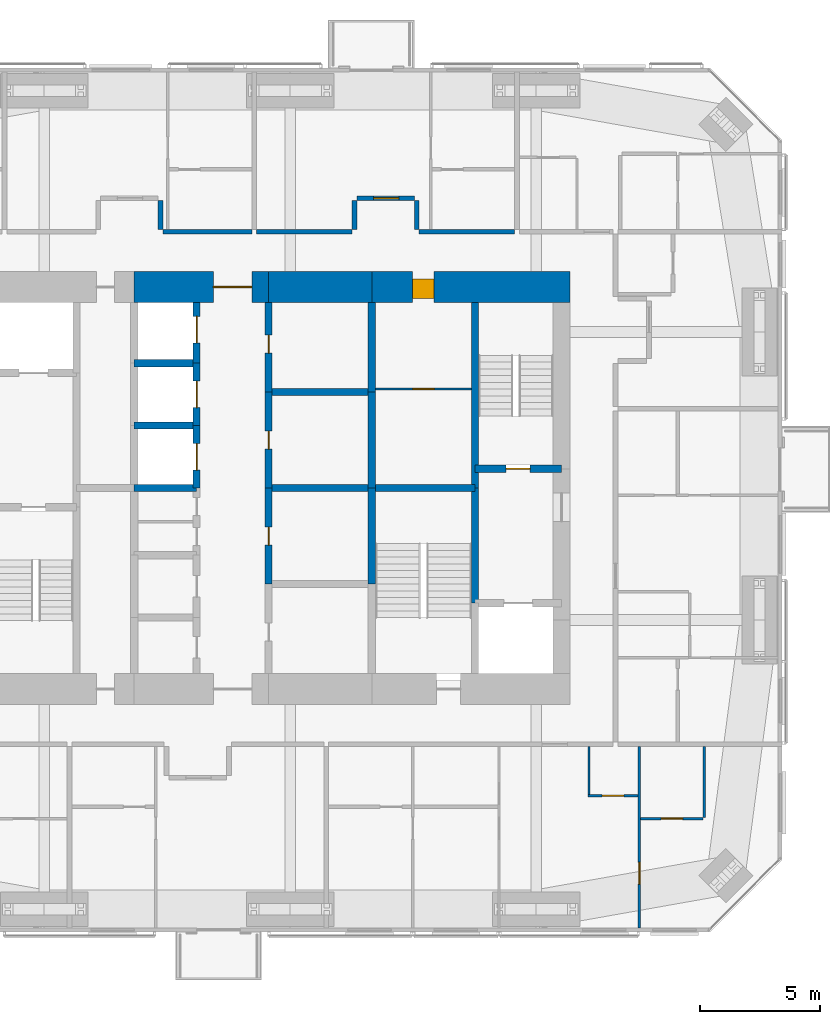
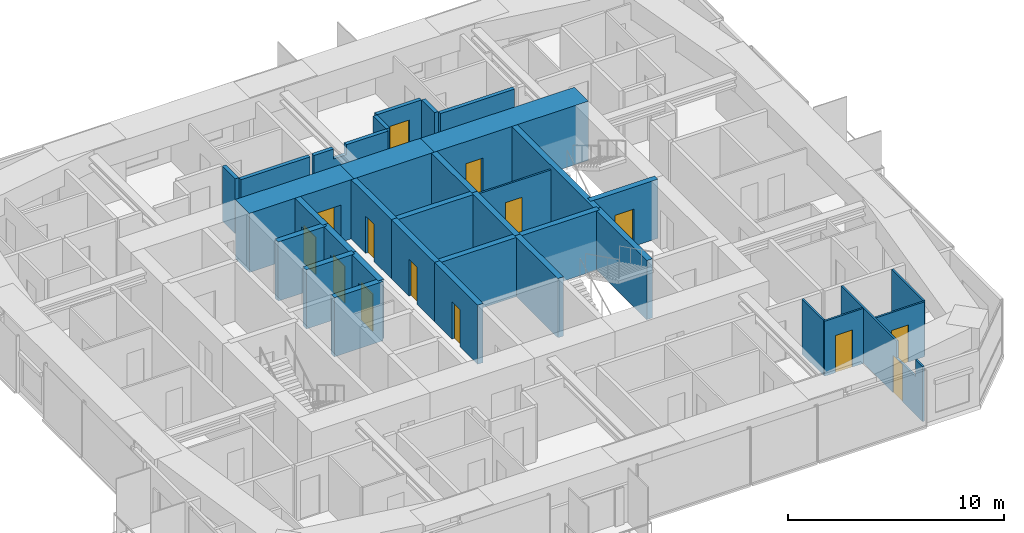
# One storey, part 19 of 23: 34 walls, 14 doors, 14 openings.
"""IFC4 building model written with IfcOpenShell, lengths in metres."""

from ifc_helpers import new_model, si_unit, direction, frame, frame_2d, origin, place, context, subcontext, project, spatial, polyline, rectangle, outline, extrude, material, layer, layer_set, constituent, constituent_set, type_object, element, fill, save


model = new_model("IFC4")

# Units and contexts
model_context = context("Model", 3, precision=1e-05, world=origin(), true_north=direction((0.0, 1.0)))
body_context = subcontext(model_context, "Body", "Model", "MODEL_VIEW")
ifc_project = project(units=[si_unit("LENGTHUNIT", "METRE"), si_unit("AREAUNIT", "SQUARE_METRE"), si_unit("VOLUMEUNIT", "CUBIC_METRE"), si_unit("PLANEANGLEUNIT", "RADIAN"), si_unit("MASSUNIT", "GRAM", prefix="KILO")], contexts=[model_context])

# Site, building, storey
site_placement = place(None, origin())
site = spatial("IfcSite", under=ifc_project, at=site_placement, CompositionType="ELEMENT")
building_placement = place(site_placement, origin())
building = spatial("IfcBuilding", under=site, at=building_placement, Name="Jalousie Tower", CompositionType="ELEMENT")
storey_placement = place(building_placement, frame((0.0, 0.0, 184.5)))
storey = spatial("IfcBuildingStorey", under=building, at=storey_placement, Name="L50", CompositionType="ELEMENT", Elevation=184.5)

# Wall, opening, door
ifc_material_1 = material(Name="Concrete f'c 120 MPa", Category="concrete")
ifc_layer_1 = layer(ifc_material_1, 1.300048828125)
ifc_layer_set_1 = layer_set([ifc_layer_1], Name="Concrete f'c 120 MPa")
wall_type_1 = type_object("IfcWallType", Name="CORE WALL 1300", PredefinedType="SHEAR", material=ifc_layer_set_1)
wall_1_placement = place(storey_placement, frame((44.14990234375, 26.875, 0.0), z_axis=(0.0, 0.0, 1.0), x_axis=(-1.0, 0.0, 0.0)))
wall_1 = element("IfcWall", 1, at=wall_1_placement, inside=storey, type_object=wall_type_1, Name="Core wall NA L50", PredefinedType="SHEAR", context=body_context, shape_type="SweptSolid", body=[
    extrude(rectangle(XDim=8.25, YDim=1.300048828125, at=frame_2d((4.125, 0.0))), origin(), (0.0, 0.0, 1.0), 3.35009765625),
])
opening_1_placement = place(wall_1_placement, frame((5.64990234375, 0.0, 0.0)))
opening_1 = element("IfcOpeningElement", 2, at=opening_1_placement, cuts=wall_1, Name="Opening D26", PredefinedType="OPENING", context=body_context, shape_type="SweptSolid", body=[
    extrude(rectangle(XDim=0.89990234375, YDim=2.10009765625, at=frame_2d((0.449951171875, 1.050048828125))), frame((0.0, 0.659912109375, 0.0), z_axis=(0.0, -1.0, 0.0), x_axis=(1.0, 0.0, 0.0)), (0.0, 0.0, 1.0), 1.320068359375),
])
ifc_material_2 = material(Name="Steel fire door", Category="steel")
door_type_1 = type_object("IfcDoorType", Name="HOUSEKEEPING STORE DOOR 900", OperationType="SINGLE_SWING_LEFT", PredefinedType="DOOR", material=ifc_material_2)
door_1_placement = place(opening_1_placement, origin())
door_1 = element("IfcDoor", 3, at=door_1_placement, inside=storey, type_object=door_type_1, Name="Housekeeping store door", OperationType="SINGLE_SWING_RIGHT", OverallHeight=2.10009765625, OverallWidth=0.89990234375, PredefinedType="DOOR", context=body_context, shape_type="SweptSolid", body=[
    extrude(rectangle(XDim=0.89990234375, YDim=2.10009765625, at=frame_2d((0.449951171875, 1.050048828125))), frame((0.0, 0.47021484375, 0.0), z_axis=(0.0, -1.0, 0.0), x_axis=(1.0, 0.0, 0.0)), (0.0, 0.0, 1.0), 0.800048828125),
])
fill(opening_1, door_1)

# Wall
wall_2_placement = place(storey_placement, frame((35.89990234375, 26.875, 0.0), z_axis=(0.0, 0.0, 1.0), x_axis=(-1.0, 0.0, 0.0)))
element("IfcWall", 4, at=wall_2_placement, inside=storey, type_object=wall_type_1, Name="Core wall NB L50", PredefinedType="SHEAR", context=body_context, shape_type="SweptSolid", body=[
    extrude(rectangle(XDim=4.2998046875, YDim=1.300048828125, at=frame_2d((2.14990234375, 0.0))), origin(), (0.0, 0.0, 1.0), 3.35009765625),
])

# Wall, opening, door
wall_3_placement = place(storey_placement, frame((31.60009765625, 26.875, 0.0), z_axis=(0.0, 0.0, 1.0), x_axis=(-1.0, 0.0, 0.0)))
wall_3 = element("IfcWall", 5, at=wall_3_placement, inside=storey, type_object=wall_type_1, Name="Core wall NC L50", PredefinedType="SHEAR", context=body_context, shape_type="SweptSolid", body=[
    extrude(rectangle(XDim=5.60009765625, YDim=1.300048828125, at=frame_2d((2.800048828125, 0.0))), origin(), (0.0, 0.0, 1.0), 3.35009765625),
])
opening_2_placement = place(wall_3_placement, frame((0.699951171875, 0.0, 0.0)))
opening_2 = element("IfcOpeningElement", 6, at=opening_2_placement, cuts=wall_3, Name="Opening D15", PredefinedType="OPENING", context=body_context, shape_type="SweptSolid", body=[
    extrude(rectangle(XDim=1.60009765625, YDim=2.10009765625, at=frame_2d((0.800048828125, 1.050048828125))), frame((0.0, 0.659912109375, 0.0), z_axis=(0.0, -1.0, 0.0), x_axis=(1.0, 0.0, 0.0)), (0.0, 0.0, 1.0), 1.320068359375),
])
ifc_material_3 = material(Name="Steel fire door", Category="steel")
door_type_2 = type_object("IfcDoorType", Name="LIFT LOBBY DOOR 1600", OperationType="DOUBLE_DOOR_SINGLE_SWING", PredefinedType="DOOR", material=ifc_material_3)
door_2_placement = place(opening_2_placement, origin())
door_2 = element("IfcDoor", 7, at=door_2_placement, inside=storey, type_object=door_type_2, Name="Lift lobby north door", OperationType="DOUBLE_DOOR_SINGLE_SWING", OverallHeight=2.10009765625, OverallWidth=1.60009765625, PredefinedType="DOOR", context=body_context, shape_type="SweptSolid", body=[
    extrude(rectangle(XDim=1.60009765625, YDim=2.10009765625, at=frame_2d((0.800048828125, 1.050048828125))), frame((0.0, 0.02490234375, 0.0), z_axis=(0.0, -1.0, 0.0), x_axis=(1.0, 0.0, 0.0)), (0.0, 0.0, 1.0), 0.050048828125),
])
fill(opening_2, door_2)

ifc_material_4 = material(Name="Concrete f'c 120 MPa", Category="concrete")
ifc_layer_2 = layer(ifc_material_4, 0.300048828125)
ifc_layer_set_2 = layer_set([ifc_layer_2], Name="Concrete f'c 120 MPa")
wall_type_2 = type_object("IfcWallType", Name="CORE WALL 300", PredefinedType="SHEAR", material=ifc_layer_set_2)
wall_4_placement = place(storey_placement, frame((28.60009765625, 18.5, 0.0), z_axis=(0.0, 0.0, 1.0), x_axis=(0.0, 1.0, 0.0)))
wall_4 = element("IfcWall", 8, at=wall_4_placement, inside=storey, type_object=wall_type_2, Name="Core wall X28.6D L50", PredefinedType="SHEAR", context=body_context, shape_type="SweptSolid", body=[
    extrude(rectangle(XDim=2.60009765625, YDim=0.300048828125, at=frame_2d((1.300048828125, 0.0))), origin(), (0.0, 0.0, 1.0), 3.35009765625),
])
opening_3_placement = place(wall_4_placement, frame((0.75, 0.0, 0.0)))
opening_3 = element("IfcOpeningElement", 9, at=opening_3_placement, cuts=wall_4, Name="Opening LD1", PredefinedType="OPENING", context=body_context, shape_type="SweptSolid", body=[
    extrude(rectangle(XDim=1.10009765625, YDim=2.10009765625, at=frame_2d((0.550048828125, 1.050048828125))), frame((0.0, 0.159912109375, 0.0), z_axis=(0.0, -1.0, 0.0), x_axis=(1.0, 0.0, 0.0)), (0.0, 0.0, 1.0), 0.320068359375),
])
ifc_material_5 = material(Name="Steel lift landing door", Category="steel")
door_type_3 = type_object("IfcDoorType", Name="LIFT LANDING DOOR 1100", OperationType="SLIDING_TO_LEFT", PredefinedType="DOOR", material=ifc_material_5)
door_3_placement = place(opening_3_placement, origin())
door_3 = element("IfcDoor", 10, at=door_3_placement, inside=storey, type_object=door_type_3, Name="Lift P4 landing door", OperationType="SLIDING_TO_LEFT", OverallHeight=2.10009765625, OverallWidth=1.10009765625, PredefinedType="DOOR", context=body_context, shape_type="SweptSolid", body=[
    extrude(rectangle(XDim=1.10009765625, YDim=2.10009765625, at=frame_2d((0.550048828125, 1.050048828125))), frame((0.0, 0.02490234375, 0.0), z_axis=(0.0, -1.0, 0.0), x_axis=(1.0, 0.0, 0.0)), (0.0, 0.0, 1.0), 0.050048828125),
])
fill(opening_3, door_3)

wall_5_placement = place(storey_placement, frame((28.60009765625, 21.10009765625, 0.0), z_axis=(0.0, 0.0, 1.0), x_axis=(0.0, 1.0, 0.0)))
wall_5 = element("IfcWall", 11, at=wall_5_placement, inside=storey, type_object=wall_type_2, Name="Core wall X28.6E L50", PredefinedType="SHEAR", context=body_context, shape_type="SweptSolid", body=[
    extrude(rectangle(XDim=2.599853515625, YDim=0.300048828125, at=frame_2d((1.2998046875, 0.0))), origin(), (0.0, 0.0, 1.0), 3.35009765625),
])
opening_4_placement = place(wall_5_placement, frame((0.75, 0.0, 0.0)))
opening_4 = element("IfcOpeningElement", 12, at=opening_4_placement, cuts=wall_5, Name="Opening LD1", PredefinedType="OPENING", context=body_context, shape_type="SweptSolid", body=[
    extrude(rectangle(XDim=1.10009765625, YDim=2.10009765625, at=frame_2d((0.550048828125, 1.050048828125))), frame((0.0, 0.159912109375, 0.0), z_axis=(0.0, -1.0, 0.0), x_axis=(1.0, 0.0, 0.0)), (0.0, 0.0, 1.0), 0.320068359375),
])
door_4_placement = place(opening_4_placement, origin())
door_4 = element("IfcDoor", 13, at=door_4_placement, inside=storey, type_object=door_type_3, Name="Lift P5 landing door", OperationType="SLIDING_TO_LEFT", OverallHeight=2.10009765625, OverallWidth=1.10009765625, PredefinedType="DOOR", context=body_context, shape_type="SweptSolid", body=[
    extrude(rectangle(XDim=1.10009765625, YDim=2.10009765625, at=frame_2d((0.550048828125, 1.050048828125))), frame((0.0, 0.02490234375, 0.0), z_axis=(0.0, -1.0, 0.0), x_axis=(1.0, 0.0, 0.0)), (0.0, 0.0, 1.0), 0.050048828125),
])
fill(opening_4, door_4)

wall_6_placement = place(storey_placement, frame((28.60009765625, 23.699951171875, 0.0), z_axis=(0.0, 0.0, 1.0), x_axis=(0.0, 1.0, 0.0)))
wall_6 = element("IfcWall", 14, at=wall_6_placement, inside=storey, type_object=wall_type_2, Name="Core wall X28.6F L50", PredefinedType="SHEAR", context=body_context, shape_type="SweptSolid", body=[
    extrude(rectangle(XDim=2.525146484375, YDim=0.300048828125, at=frame_2d((1.2626953125, 0.0))), origin(), (0.0, 0.0, 1.0), 3.35009765625),
])
opening_5_placement = place(wall_6_placement, frame((0.85009765625, 0.0, 0.0)))
opening_5 = element("IfcOpeningElement", 15, at=opening_5_placement, cuts=wall_6, Name="Opening LD1", PredefinedType="OPENING", context=body_context, shape_type="SweptSolid", body=[
    extrude(rectangle(XDim=1.10009765625, YDim=2.10009765625, at=frame_2d((0.550048828125, 1.050048828125))), frame((0.0, 0.159912109375, 0.0), z_axis=(0.0, -1.0, 0.0), x_axis=(1.0, 0.0, 0.0)), (0.0, 0.0, 1.0), 0.320068359375),
])
door_5_placement = place(opening_5_placement, origin())
door_5 = element("IfcDoor", 16, at=door_5_placement, inside=storey, type_object=door_type_3, Name="Lift P6 landing door", OperationType="SLIDING_TO_LEFT", OverallHeight=2.10009765625, OverallWidth=1.10009765625, PredefinedType="DOOR", context=body_context, shape_type="SweptSolid", body=[
    extrude(rectangle(XDim=1.10009765625, YDim=2.10009765625, at=frame_2d((0.550048828125, 1.050048828125))), frame((0.0, 0.02490234375, 0.0), z_axis=(0.0, -1.0, 0.0), x_axis=(1.0, 0.0, 0.0)), (0.0, 0.0, 1.0), 0.050048828125),
])
fill(opening_5, door_5)

wall_7_placement = place(storey_placement, frame((31.60009765625, 14.5, 0.0), z_axis=(0.0, 0.0, 1.0), x_axis=(0.0, 1.0, 0.0)))
wall_7 = element("IfcWall", 17, at=wall_7_placement, inside=storey, type_object=wall_type_2, Name="Core wall X31.6B L50", PredefinedType="SHEAR", context=body_context, shape_type="SweptSolid", body=[
    extrude(rectangle(XDim=4.0, YDim=0.300048828125, at=frame_2d((2.0, 0.0))), origin(), (0.0, 0.0, 1.0), 3.35009765625),
])
opening_6_placement = place(wall_7_placement, frame((1.625, 0.0, 0.0)))
opening_6 = element("IfcOpeningElement", 18, at=opening_6_placement, cuts=wall_7, Name="Opening D16", PredefinedType="OPENING", context=body_context, shape_type="SweptSolid", body=[
    extrude(rectangle(XDim=0.75, YDim=2.10009765625, at=frame_2d((0.375, 1.050048828125))), frame((0.0, 0.159912109375, 0.0), z_axis=(0.0, -1.0, 0.0), x_axis=(1.0, 0.0, 0.0)), (0.0, 0.0, 1.0), 0.320068359375),
])
ifc_material_6 = material(Name="Steel fire door", Category="steel")
door_type_4 = type_object("IfcDoorType", Name="RISER DOOR 750", OperationType="SINGLE_SWING_LEFT", PredefinedType="DOOR", material=ifc_material_6)
door_6_placement = place(opening_6_placement, frame((0.75, 0.0, 0.0), z_axis=(0.0, 0.0, 1.0), x_axis=(-1.0, 0.0, 0.0)))
door_6 = element("IfcDoor", 19, at=door_6_placement, inside=storey, type_object=door_type_4, Name="Electrical Room door", OperationType="SINGLE_SWING_RIGHT", OverallHeight=2.10009765625, OverallWidth=0.75, PredefinedType="DOOR", context=body_context, shape_type="SweptSolid", body=[
    extrude(rectangle(XDim=0.75, YDim=2.10009765625, at=frame_2d((0.375, 1.050048828125))), frame((0.0, 0.02490234375, 0.0), z_axis=(0.0, -1.0, 0.0), x_axis=(1.0, 0.0, 0.0)), (0.0, 0.0, 1.0), 0.050048828125),
])
fill(opening_6, door_6)

wall_8_placement = place(storey_placement, frame((31.60009765625, 18.5, 0.0), z_axis=(0.0, 0.0, 1.0), x_axis=(0.0, 1.0, 0.0)))
wall_8 = element("IfcWall", 20, at=wall_8_placement, inside=storey, type_object=wall_type_2, Name="Core wall X31.6C L50", PredefinedType="SHEAR", context=body_context, shape_type="SweptSolid", body=[
    extrude(rectangle(XDim=4.0, YDim=0.300048828125, at=frame_2d((2.0, 0.0))), origin(), (0.0, 0.0, 1.0), 3.35009765625),
])
opening_7_placement = place(wall_8_placement, frame((1.625, 0.0, 0.0)))
opening_7 = element("IfcOpeningElement", 21, at=opening_7_placement, cuts=wall_8, Name="Opening D16", PredefinedType="OPENING", context=body_context, shape_type="SweptSolid", body=[
    extrude(rectangle(XDim=0.75, YDim=2.10009765625, at=frame_2d((0.375, 1.050048828125))), frame((0.0, 0.159912109375, 0.0), z_axis=(0.0, -1.0, 0.0), x_axis=(1.0, 0.0, 0.0)), (0.0, 0.0, 1.0), 0.320068359375),
])
door_7_placement = place(opening_7_placement, frame((0.75, 0.0, 0.0), z_axis=(0.0, 0.0, 1.0), x_axis=(-1.0, 0.0, 0.0)))
door_7 = element("IfcDoor", 22, at=door_7_placement, inside=storey, type_object=door_type_4, Name="Telecom Room door", OperationType="SINGLE_SWING_RIGHT", OverallHeight=2.10009765625, OverallWidth=0.75, PredefinedType="DOOR", context=body_context, shape_type="SweptSolid", body=[
    extrude(rectangle(XDim=0.75, YDim=2.10009765625, at=frame_2d((0.375, 1.050048828125))), frame((0.0, 0.02490234375, 0.0), z_axis=(0.0, -1.0, 0.0), x_axis=(1.0, 0.0, 0.0)), (0.0, 0.0, 1.0), 0.050048828125),
])
fill(opening_7, door_7)

wall_9_placement = place(storey_placement, frame((31.60009765625, 22.5, 0.0), z_axis=(0.0, 0.0, 1.0), x_axis=(0.0, 1.0, 0.0)))
wall_9 = element("IfcWall", 23, at=wall_9_placement, inside=storey, type_object=wall_type_2, Name="Core wall X31.6D L50", PredefinedType="SHEAR", context=body_context, shape_type="SweptSolid", body=[
    extrude(rectangle(XDim=3.72509765625, YDim=0.300048828125, at=frame_2d((1.862548828125, 0.0))), origin(), (0.0, 0.0, 1.0), 3.35009765625),
])
opening_8_placement = place(wall_9_placement, frame((1.625, 0.0, 0.0)))
opening_8 = element("IfcOpeningElement", 24, at=opening_8_placement, cuts=wall_9, Name="Opening D16", PredefinedType="OPENING", context=body_context, shape_type="SweptSolid", body=[
    extrude(rectangle(XDim=0.75, YDim=2.10009765625, at=frame_2d((0.375, 1.050048828125))), frame((0.0, 0.159912109375, 0.0), z_axis=(0.0, -1.0, 0.0), x_axis=(1.0, 0.0, 0.0)), (0.0, 0.0, 1.0), 0.320068359375),
])
door_8_placement = place(opening_8_placement, frame((0.75, 0.0, 0.0), z_axis=(0.0, 0.0, 1.0), x_axis=(-1.0, 0.0, 0.0)))
door_8 = element("IfcDoor", 25, at=door_8_placement, inside=storey, type_object=door_type_4, Name="Water Services Room door", OperationType="SINGLE_SWING_LEFT", OverallHeight=2.10009765625, OverallWidth=0.75, PredefinedType="DOOR", context=body_context, shape_type="SweptSolid", body=[
    extrude(rectangle(XDim=0.75, YDim=2.10009765625, at=frame_2d((0.375, 1.050048828125))), frame((0.0, 0.02490234375, 0.0), z_axis=(0.0, -1.0, 0.0), x_axis=(1.0, 0.0, 0.0)), (0.0, 0.0, 1.0), 0.050048828125),
])
fill(opening_8, door_8)

# Walls
for number, where, z_axis, x_axis, name in (
    (26, (35.89990234375, 14.5, 0.0), (0.0, 0.0, 1.0), (0.0, 1.0, 0.0), "Core wall X35.9B L50"),
    (27, (35.89990234375, 18.5, 0.0), (0.0, 0.0, 1.0), (0.0, 1.0, 0.0), "Core wall X35.9C L50"),
):
    element("IfcWall", number, at=place(storey_placement, frame(where, z_axis=z_axis, x_axis=x_axis)), inside=storey, type_object=wall_type_2, Name=name, PredefinedType="SHEAR", context=body_context, shape_type="SweptSolid", body=[
        extrude(rectangle(XDim=4.0, YDim=0.300048828125, at=frame_2d((2.0, 0.0))), origin(), (0.0, 0.0, 1.0), 3.35009765625),
    ])
wall_10_placement = place(storey_placement, frame((35.89990234375, 22.5, 0.0), z_axis=(0.0, 0.0, 1.0), x_axis=(0.0, 1.0, 0.0)))
element("IfcWall", 28, at=wall_10_placement, inside=storey, type_object=wall_type_2, Name="Core wall X35.9D L50", PredefinedType="SHEAR", context=body_context, shape_type="SweptSolid", body=[
    extrude(rectangle(XDim=3.72509765625, YDim=0.300048828125, at=frame_2d((1.862548828125, 0.0))), origin(), (0.0, 0.0, 1.0), 3.35009765625),
])
wall_11_placement = place(storey_placement, frame((40.199951171875, 13.699951171875, 0.0), z_axis=(0.0, 0.0, 1.0), x_axis=(0.0, 1.0, 0.0)))
element("IfcWall", 29, at=wall_11_placement, inside=storey, type_object=wall_type_2, Name="Core wall X40.2B L50", PredefinedType="SHEAR", context=body_context, shape_type="SweptSolid", body=[
    extrude(rectangle(XDim=4.800048828125, YDim=0.300048828125, at=frame_2d((2.39990234375, 0.0))), origin(), (0.0, 0.0, 1.0), 3.35009765625),
])
wall_12_placement = place(storey_placement, frame((40.199951171875, 18.5, 0.0), z_axis=(0.0, 0.0, 1.0), x_axis=(0.0, 1.0, 0.0)))
element("IfcWall", 30, at=wall_12_placement, inside=storey, type_object=wall_type_2, Name="Core wall X40.2C L50", PredefinedType="SHEAR", context=body_context, shape_type="SweptSolid", body=[
    extrude(rectangle(XDim=7.72509765625, YDim=0.300048828125, at=frame_2d((3.862548828125, 0.0))), origin(), (0.0, 0.0, 1.0), 3.35009765625),
])
for number, where, z_axis, x_axis, name in (
    (31, (26.0, 18.5, 0.0), (0.0, 0.0, 1.0), (1.0, 0.0, 0.0), "Core wall Y26-18.5 L50"),
    (32, (26.0, 21.10009765625, 0.0), (0.0, 0.0, 1.0), (1.0, 0.0, 0.0), "Core wall Y26-21.1 L50"),
    (33, (26.0, 23.699951171875, 0.0), (0.0, 0.0, 1.0), (1.0, 0.0, 0.0), "Core wall Y26-23.7 L50"),
):
    element("IfcWall", number, at=place(storey_placement, frame(where, z_axis=z_axis, x_axis=x_axis)), inside=storey, type_object=wall_type_2, Name=name, PredefinedType="SHEAR", context=body_context, shape_type="SweptSolid", body=[
        extrude(rectangle(XDim=2.60009765625, YDim=0.300048828125, at=frame_2d((1.300048828125, 0.0))), origin(), (0.0, 0.0, 1.0), 3.35009765625),
    ])
for number, where, z_axis, x_axis, name in (
    (34, (31.60009765625, 18.5, 0.0), (0.0, 0.0, 1.0), (1.0, 0.0, 0.0), "Core wall Y31.6-18.5 L50"),
    (35, (31.60009765625, 22.5, 0.0), (0.0, 0.0, 1.0), (1.0, 0.0, 0.0), "Core wall Y31.6-22.5 L50"),
):
    element("IfcWall", number, at=place(storey_placement, frame(where, z_axis=z_axis, x_axis=x_axis)), inside=storey, type_object=wall_type_2, Name=name, PredefinedType="SHEAR", context=body_context, shape_type="SweptSolid", body=[
        extrude(rectangle(XDim=4.2998046875, YDim=0.300048828125, at=frame_2d((2.14990234375, 0.0))), origin(), (0.0, 0.0, 1.0), 3.35009765625),
    ])
wall_13_placement = place(storey_placement, frame((35.89990234375, 18.5, 0.0), z_axis=(0.0, 0.0, 1.0), x_axis=(1.0, 0.0, 0.0)))
element("IfcWall", 36, at=wall_13_placement, inside=storey, type_object=wall_type_2, Name="Core wall Y35.9-18.5 L50", PredefinedType="SHEAR", context=body_context, shape_type="SweptSolid", body=[
    extrude(rectangle(XDim=4.300048828125, YDim=0.300048828125, at=frame_2d((2.14990234375, 0.0))), origin(), (0.0, 0.0, 1.0), 3.35009765625),
])

# Wall, opening, door
wall_14_placement = place(storey_placement, frame((40.199951171875, 19.300048828125, 0.0), z_axis=(0.0, 0.0, 1.0), x_axis=(1.0, 0.0, 0.0)))
wall_14 = element("IfcWall", 37, at=wall_14_placement, inside=storey, type_object=wall_type_2, Name="Core wall Y40.2-19.3 L50", PredefinedType="SHEAR", context=body_context, shape_type="SweptSolid", body=[
    extrude(rectangle(XDim=3.60009765625, YDim=0.300048828125, at=frame_2d((1.800048828125, 0.0))), origin(), (0.0, 0.0, 1.0), 3.35009765625),
])
opening_9_placement = place(wall_14_placement, frame((1.300048828125, 0.0, 0.0)))
opening_9 = element("IfcOpeningElement", 38, at=opening_9_placement, cuts=wall_14, Name="Opening D10", PredefinedType="OPENING", context=body_context, shape_type="SweptSolid", body=[
    extrude(rectangle(XDim=1.0, YDim=2.10009765625, at=frame_2d((0.5, 1.050048828125))), frame((0.0, 0.159912109375, 0.0), z_axis=(0.0, -1.0, 0.0), x_axis=(1.0, 0.0, 0.0)), (0.0, 0.0, 1.0), 0.320068359375),
])
ifc_material_7 = material(Name="Steel fire door", Category="steel")
door_type_5 = type_object("IfcDoorType", Name="STAIR DOOR 1000", OperationType="SINGLE_SWING_LEFT", PredefinedType="DOOR", material=ifc_material_7)
door_9_placement = place(opening_9_placement, origin())
door_9 = element("IfcDoor", 39, at=door_9_placement, inside=storey, type_object=door_type_5, Name="Exit stair B door", OperationType="SINGLE_SWING_RIGHT", OverallHeight=2.10009765625, OverallWidth=1.0, PredefinedType="DOOR", context=body_context, shape_type="SweptSolid", body=[
    extrude(rectangle(XDim=1.0, YDim=2.10009765625, at=frame_2d((0.5, 1.050048828125))), frame((0.0, 0.02490234375, 0.0), z_axis=(0.0, -1.0, 0.0), x_axis=(1.0, 0.0, 0.0)), (0.0, 0.0, 1.0), 0.050048828125),
])
fill(opening_9, door_9)

# Walls
ifc_material_8 = material(Name="Concrete block ASTM C90", Category="concrete")
ifc_constituent_1 = constituent(ifc_material_8, Name="Body")
ifc_material_9 = material(Name="Render")
ifc_constituent_2 = constituent(ifc_material_9, Name="Finish")
ifc_constituent_set_1 = constituent_set(constituents=[ifc_constituent_1, ifc_constituent_2])
wall_type_3 = type_object("IfcWallType", Name="CORRIDOR WALL 200", PredefinedType="PARTITIONING", material=ifc_constituent_set_1)
wall_15_placement = place(storey_placement, frame((31.10009765625, 29.175048828125, 0.0), z_axis=(0.0, 0.0, 1.0), x_axis=(1.0, 0.0, 0.0)))
element("IfcWall", 40, at=wall_15_placement, inside=storey, type_object=wall_type_3, Name="Corridor Wall 200 L50", PredefinedType="PARTITIONING", context=body_context, shape_type="SweptSolid", body=[
    extrude(outline(polyline([(0.0, 0.0), (3.974853515625, 0.0), (3.97509765625, 3.110107421875), (1.7373046875, 3.110107421875), (1.7373046875, 2.541015625), (1.0625, 2.541015625), (1.0625, 3.110107421875), (0.0, 3.110107421875), (0.0, 0.0)])), frame((0.0, 0.10009765625, 0.0), z_axis=(0.0, -1.0, 0.0), x_axis=(1.0, 0.0, 0.0)), (0.0, 0.0, 1.0), 0.199951171875),
])
wall_16_placement = place(storey_placement, frame((27.199951171875, 29.175048828125, 0.0), z_axis=(0.0, 0.0, 1.0), x_axis=(1.0, 0.0, 0.0)))
element("IfcWall", 41, at=wall_16_placement, inside=storey, type_object=wall_type_3, Name="Corridor Wall 200 L50", PredefinedType="PARTITIONING", context=body_context, shape_type="SweptSolid", body=[
    extrude(rectangle(XDim=3.699951171875, YDim=0.199951171875, at=frame_2d((1.85009765625, 0.0))), origin(), (0.0, 0.0, 1.0), 3.110107421875),
])
wall_17_placement = place(storey_placement, frame((27.10009765625, 29.27490234375, 0.0), z_axis=(0.0, 0.0, 1.0), x_axis=(0.0, 1.0, 0.0)))
element("IfcWall", 42, at=wall_17_placement, inside=storey, type_object=wall_type_3, Name="Corridor Wall 200 L50", PredefinedType="PARTITIONING", context=body_context, shape_type="SweptSolid", body=[
    extrude(rectangle(XDim=1.2001953125, YDim=0.199951171875, at=frame_2d((0.60009765625, 0.0))), origin(), (0.0, 0.0, 1.0), 3.110107421875),
])
wall_18_placement = place(storey_placement, frame((37.875, 29.175048828125, 0.0), z_axis=(0.0, 0.0, 1.0), x_axis=(1.0, 0.0, 0.0)))
element("IfcWall", 43, at=wall_18_placement, inside=storey, type_object=wall_type_3, Name="Corridor Wall 200 L50", PredefinedType="PARTITIONING", context=body_context, shape_type="SweptSolid", body=[
    extrude(rectangle(XDim=3.97509765625, YDim=0.199951171875, at=frame_2d((1.987548828125, 0.0))), origin(), (0.0, 0.0, 1.0), 3.110107421875),
])

# Wall, opening, door
wall_19_placement = place(storey_placement, frame((35.27490234375, 30.574951171875, 0.0), z_axis=(0.0, 0.0, 1.0), x_axis=(1.0, 0.0, 0.0)))
wall_19 = element("IfcWall", 44, at=wall_19_placement, inside=storey, type_object=wall_type_3, Name="Corridor Wall 200 L50", PredefinedType="PARTITIONING", context=body_context, shape_type="SweptSolid", body=[
    extrude(rectangle(XDim=2.400146484375, YDim=0.199951171875, at=frame_2d((1.2001953125, 0.0))), origin(), (0.0, 0.0, 1.0), 3.110107421875),
])
opening_10_placement = place(wall_19_placement, frame((0.699951171875, 0.0, 0.0)))
opening_10 = element("IfcOpeningElement", 45, at=opening_10_placement, cuts=wall_19, Name="Opening D1", PredefinedType="OPENING", context=body_context, shape_type="SweptSolid", body=[
    extrude(rectangle(XDim=1.050048828125, YDim=2.199951171875, at=frame_2d((0.52490234375, 1.10009765625))), frame((0.0, 0.10986328125, 0.0), z_axis=(0.0, -1.0, 0.0), x_axis=(1.0, 0.0, 0.0)), (0.0, 0.0, 1.0), 0.219970703125),
])
ifc_material_10 = material(Name="Timber fire door", Category="wood")
door_type_6 = type_object("IfcDoorType", Name="APARTMENT ENTRANCE DOOR 1050", OperationType="SINGLE_SWING_LEFT", PredefinedType="DOOR", material=ifc_material_10)
door_10_placement = place(opening_10_placement, origin())
door_10 = element("IfcDoor", 46, at=door_10_placement, inside=storey, type_object=door_type_6, Name="Apartment 5006 entrance", OperationType="SINGLE_SWING_RIGHT", OverallHeight=2.199951171875, OverallWidth=1.050048828125, PredefinedType="DOOR", context=body_context, shape_type="SweptSolid", body=[
    extrude(rectangle(XDim=1.050048828125, YDim=2.199951171875, at=frame_2d((0.52490234375, 1.10009765625))), frame((0.0, 0.02490234375, 0.0), z_axis=(0.0, -1.0, 0.0), x_axis=(1.0, 0.0, 0.0)), (0.0, 0.0, 1.0), 0.050048828125),
])
fill(opening_10, door_10)

# Walls
for number, where, z_axis, x_axis, name in (
    (47, (35.175048828125, 29.27490234375, 0.0), (0.0, 0.0, 1.0), (0.0, 1.0, 0.0), "Corridor Wall 200 L50"),
    (48, (37.77490234375, 29.27490234375, 0.0), (0.0, 0.0, 1.0), (0.0, 1.0, 0.0), "Corridor Wall 200 L50"),
):
    element("IfcWall", number, at=place(storey_placement, frame(where, z_axis=z_axis, x_axis=x_axis)), inside=storey, type_object=wall_type_3, Name=name, PredefinedType="PARTITIONING", context=body_context, shape_type="SweptSolid", body=[
        extrude(rectangle(XDim=1.2001953125, YDim=0.199951171875, at=frame_2d((0.60009765625, 0.0))), origin(), (0.0, 0.0, 1.0), 3.110107421875),
    ])

# Wall, opening, door
ifc_material_11 = material(Name="Gypsum board", Category="gypsum")
ifc_constituent_3 = constituent(ifc_material_11, Name="Body")
ifc_material_12 = material(Name="Light-gauge steel studs ASTM A653 SS Grade 33", Category="steel")
ifc_constituent_4 = constituent(ifc_material_12, Name="Framing")
ifc_constituent_set_2 = constituent_set(constituents=[ifc_constituent_3, ifc_constituent_4])
wall_type_4 = type_object("IfcWallType", Name="PARTITION 100", PredefinedType="PARTITIONING", material=ifc_constituent_set_2)
wall_20_placement = place(storey_placement, frame((47.050048828125, 0.175048828125, 0.0), z_axis=(0.0, 0.0, 1.0), x_axis=(0.0, 1.0, 0.0)))
wall_20 = element("IfcWall", 49, at=wall_20_placement, inside=storey, type_object=wall_type_4, Name="Partition 100 L50", PredefinedType="PARTITIONING", context=body_context, shape_type="SweptSolid", body=[
    extrude(outline(polyline([(0.0, 0.0), (7.550048828125, 0.0), (7.550048828125, 3.110107421875), (2.409423828125, 3.110107421875), (2.409423828125, 2.14990234375), (0.66259765625, 2.14990234375), (0.66259765625, 3.110107421875), (0.0, 3.110107421875), (0.0, 0.0)])), frame((0.0, 0.050048828125, 0.0), z_axis=(0.0, -1.0, 0.0), x_axis=(1.0, 0.0, 0.0)), (0.0, 0.0, 1.0), 0.10009765625),
])
opening_11_placement = place(wall_20_placement, frame((1.824951171875, 0.0, 0.0)))
opening_11 = element("IfcOpeningElement", 50, at=opening_11_placement, cuts=wall_20, Name="Opening D2", PredefinedType="OPENING", context=body_context, shape_type="SweptSolid", body=[
    extrude(rectangle(XDim=0.89990234375, YDim=2.10009765625, at=frame_2d((0.449951171875, 1.050048828125))), frame((0.0, 0.06005859375, 0.0), z_axis=(0.0, -1.0, 0.0), x_axis=(1.0, 0.0, 0.0)), (0.0, 0.0, 1.0), 0.1201171875),
])
ifc_material_13 = material(Name="Timber door", Category="wood")
door_type_7 = type_object("IfcDoorType", Name="BEDROOM DOOR 900", OperationType="SINGLE_SWING_LEFT", PredefinedType="DOOR", material=ifc_material_13)
door_11_placement = place(opening_11_placement, origin())
door_11 = element("IfcDoor", 51, at=door_11_placement, inside=storey, type_object=door_type_7, Name="Apartment 5003 study door", OperationType="SINGLE_SWING_LEFT", OverallHeight=2.10009765625, OverallWidth=0.89990234375, PredefinedType="DOOR", context=body_context, shape_type="SweptSolid", body=[
    extrude(rectangle(XDim=0.89990234375, YDim=2.10009765625, at=frame_2d((0.449951171875, 1.050048828125))), frame((0.0, 0.02490234375, 0.0), z_axis=(0.0, -1.0, 0.0), x_axis=(1.0, 0.0, 0.0)), (0.0, 0.0, 1.0), 0.050048828125),
])
fill(opening_11, door_11)

wall_21_placement = place(storey_placement, frame((47.10009765625, 4.72509765625, 0.0), z_axis=(0.0, 0.0, 1.0), x_axis=(1.0, 0.0, 0.0)))
wall_21 = element("IfcWall", 52, at=wall_21_placement, inside=storey, type_object=wall_type_4, Name="Partition 100 L50", PredefinedType="PARTITIONING", context=body_context, shape_type="SweptSolid", body=[
    extrude(rectangle(XDim=2.599853515625, YDim=0.10009765625, at=frame_2d((1.2998046875, 0.0))), origin(), (0.0, 0.0, 1.0), 3.110107421875),
])
opening_12_placement = place(wall_21_placement, frame((0.85009765625, 0.0, 0.0)))
opening_12 = element("IfcOpeningElement", 53, at=opening_12_placement, cuts=wall_21, Name="Opening D7", PredefinedType="OPENING", context=body_context, shape_type="SweptSolid", body=[
    extrude(rectangle(XDim=0.89990234375, YDim=2.10009765625, at=frame_2d((0.449951171875, 1.050048828125))), frame((0.0, 0.06005859375, 0.0), z_axis=(0.0, -1.0, 0.0), x_axis=(1.0, 0.0, 0.0)), (0.0, 0.0, 1.0), 0.1201171875),
])
ifc_material_14 = material(Name="Timber door", Category="wood")
door_type_8 = type_object("IfcDoorType", Name="INTERNAL DOOR 900", OperationType="SINGLE_SWING_LEFT", PredefinedType="DOOR", material=ifc_material_14)
door_12_placement = place(opening_12_placement, frame((0.89990234375, 0.0, 0.0), z_axis=(0.0, 0.0, 1.0), x_axis=(-1.0, 0.0, 0.0)))
door_12 = element("IfcDoor", 54, at=door_12_placement, inside=storey, type_object=door_type_8, Name="Apartment 5003 kitchen door", OperationType="SINGLE_SWING_RIGHT", OverallHeight=2.10009765625, OverallWidth=0.89990234375, PredefinedType="DOOR", context=body_context, shape_type="SweptSolid", body=[
    extrude(rectangle(XDim=0.89990234375, YDim=2.10009765625, at=frame_2d((0.449951171875, 1.050048828125))), frame((0.0, 0.02490234375, 0.0), z_axis=(0.0, -1.0, 0.0), x_axis=(1.0, 0.0, 0.0)), (0.0, 0.0, 1.0), 0.050048828125),
])
fill(opening_12, door_12)

# Wall
wall_22_placement = place(storey_placement, frame((49.75, 4.77490234375, 0.0), z_axis=(0.0, 0.0, 1.0), x_axis=(0.0, 1.0, 0.0)))
element("IfcWall", 55, at=wall_22_placement, inside=storey, type_object=wall_type_4, Name="Partition 100 L50", PredefinedType="PARTITIONING", context=body_context, shape_type="SweptSolid", body=[
    extrude(rectangle(XDim=2.9501953125, YDim=0.10009765625, at=frame_2d((1.47509765625, 0.0))), origin(), (0.0, 0.0, 1.0), 3.110107421875),
])

# Wall, opening, door
wall_23_placement = place(storey_placement, frame((47.0, 5.675048828125, 0.0), z_axis=(0.0, 0.0, 1.0), x_axis=(-1.0, 0.0, 0.0)))
wall_23 = element("IfcWall", 56, at=wall_23_placement, inside=storey, type_object=wall_type_4, Name="Partition 100 L50", PredefinedType="PARTITIONING", context=body_context, shape_type="SweptSolid", body=[
    extrude(rectangle(XDim=2.10009765625, YDim=0.10009765625, at=frame_2d((1.050048828125, 0.0))), origin(), (0.0, 0.0, 1.0), 3.110107421875),
])
opening_13_placement = place(wall_23_placement, frame((0.60009765625, 0.0, 0.0)))
opening_13 = element("IfcOpeningElement", 57, at=opening_13_placement, cuts=wall_23, Name="Opening D7", PredefinedType="OPENING", context=body_context, shape_type="SweptSolid", body=[
    extrude(rectangle(XDim=0.89990234375, YDim=2.10009765625, at=frame_2d((0.449951171875, 1.050048828125))), frame((0.0, 0.06005859375, 0.0), z_axis=(0.0, -1.0, 0.0), x_axis=(1.0, 0.0, 0.0)), (0.0, 0.0, 1.0), 0.1201171875),
])
door_13_placement = place(opening_13_placement, origin())
door_13 = element("IfcDoor", 58, at=door_13_placement, inside=storey, type_object=door_type_8, Name="Apartment 5003 study store room door", OperationType="SINGLE_SWING_LEFT", OverallHeight=2.10009765625, OverallWidth=0.89990234375, PredefinedType="DOOR", context=body_context, shape_type="SweptSolid", body=[
    extrude(rectangle(XDim=0.89990234375, YDim=2.10009765625, at=frame_2d((0.449951171875, 1.050048828125))), frame((0.0, 0.02490234375, 0.0), z_axis=(0.0, -1.0, 0.0), x_axis=(1.0, 0.0, 0.0)), (0.0, 0.0, 1.0), 0.050048828125),
])
fill(opening_13, door_13)

# Wall
wall_24_placement = place(storey_placement, frame((44.949951171875, 7.72509765625, 0.0), z_axis=(0.0, 0.0, 1.0), x_axis=(0.0, -1.0, 0.0)))
element("IfcWall", 59, at=wall_24_placement, inside=storey, type_object=wall_type_4, Name="Partition 100 L50", PredefinedType="PARTITIONING", context=body_context, shape_type="SweptSolid", body=[
    extrude(rectangle(XDim=2.0, YDim=0.10009765625, at=frame_2d((1.0, 0.0))), origin(), (0.0, 0.0, 1.0), 3.110107421875),
])

# Wall, opening, door
wall_25_placement = place(storey_placement, frame((36.050048828125, 22.625, 0.0), z_axis=(0.0, 0.0, 1.0), x_axis=(1.0, 0.0, 0.0)))
wall_25 = element("IfcWall", 60, at=wall_25_placement, inside=storey, type_object=wall_type_4, Name="Partition 100 L50", PredefinedType="PARTITIONING", context=body_context, shape_type="SweptSolid", body=[
    extrude(rectangle(XDim=4.0, YDim=0.10009765625, at=frame_2d((2.0, 0.0))), origin(), (0.0, 0.0, 1.0), 3.110107421875),
])
opening_14_placement = place(wall_25_placement, frame((1.550048828125, 0.0, 0.0)))
opening_14 = element("IfcOpeningElement", 61, at=opening_14_placement, cuts=wall_25, Name="Opening D7", PredefinedType="OPENING", context=body_context, shape_type="SweptSolid", body=[
    extrude(rectangle(XDim=0.89990234375, YDim=2.10009765625, at=frame_2d((0.449951171875, 1.050048828125))), frame((0.0, 0.06005859375, 0.0), z_axis=(0.0, -1.0, 0.0), x_axis=(1.0, 0.0, 0.0)), (0.0, 0.0, 1.0), 0.1201171875),
])
door_14_placement = place(opening_14_placement, frame((0.89990234375, 0.0, 0.0), z_axis=(0.0, 0.0, 1.0), x_axis=(-1.0, 0.0, 0.0)))
door_14 = element("IfcDoor", 62, at=door_14_placement, inside=storey, type_object=door_type_8, Name="Linen store door", OperationType="SINGLE_SWING_RIGHT", OverallHeight=2.10009765625, OverallWidth=0.89990234375, PredefinedType="DOOR", context=body_context, shape_type="SweptSolid", body=[
    extrude(rectangle(XDim=0.89990234375, YDim=2.10009765625, at=frame_2d((0.449951171875, 1.050048828125))), frame((0.0, 0.02490234375, 0.0), z_axis=(0.0, -1.0, 0.0), x_axis=(1.0, 0.0, 0.0)), (0.0, 0.0, 1.0), 0.050048828125),
])
fill(opening_14, door_14)

save(model, "model.ifc")
